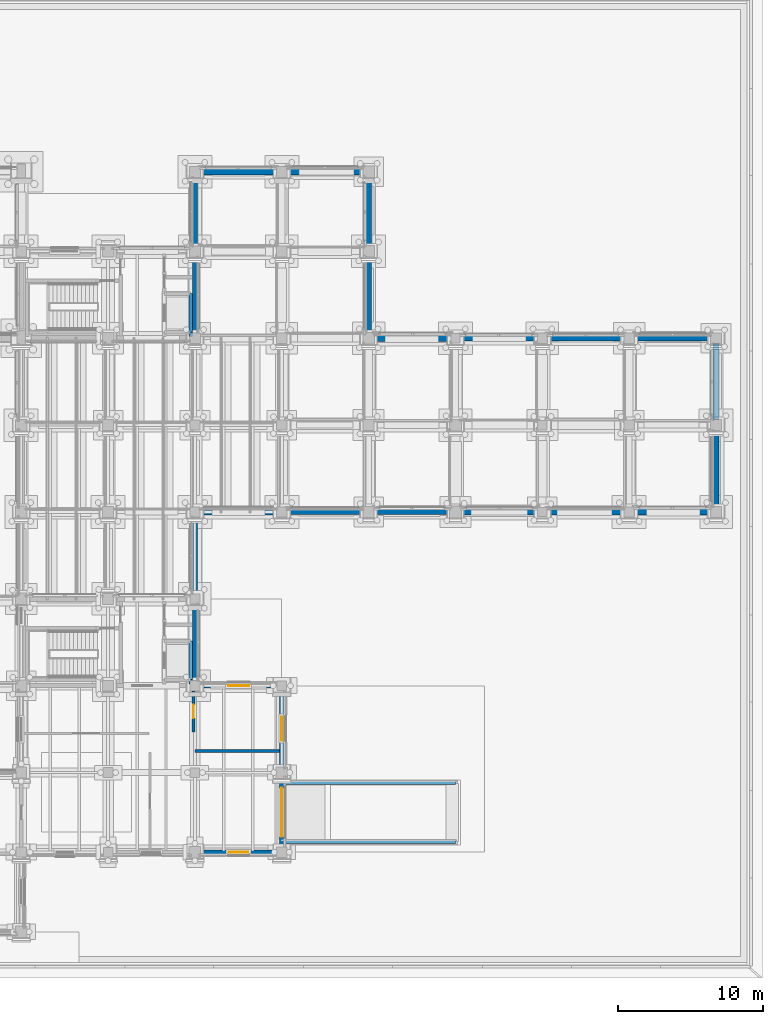
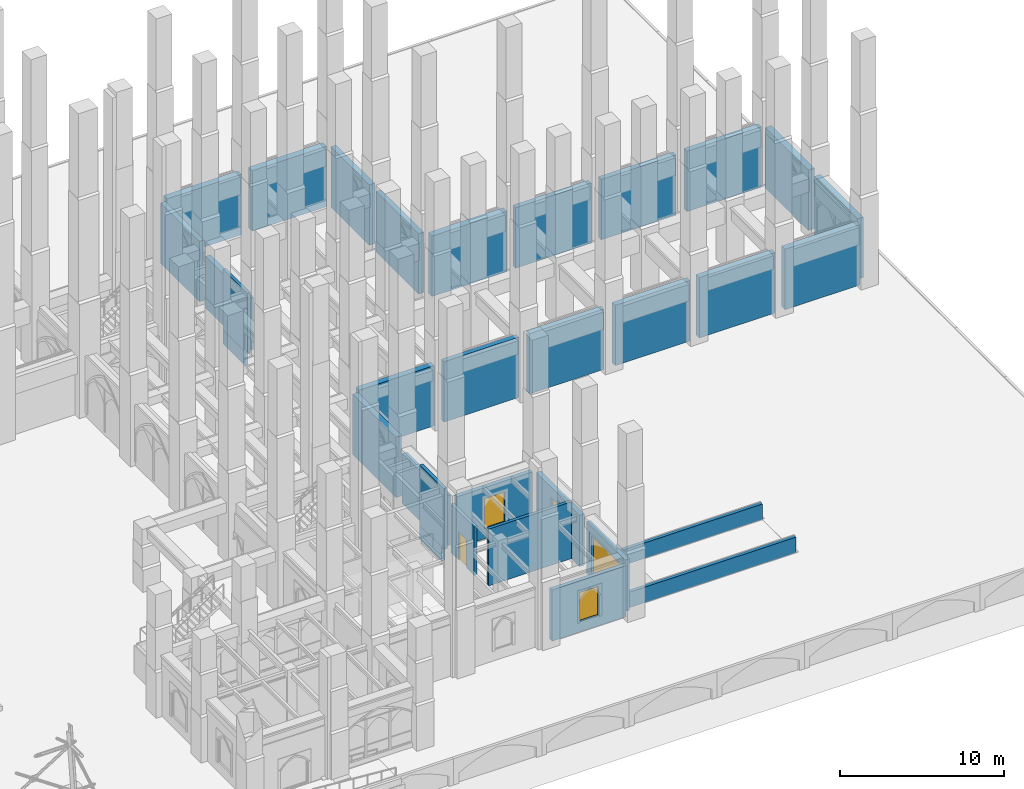
# One storey, part 68 of 135: 32 walls, 3 windows, 2 doors, 5 openings.
"""IFC4 building model written with IfcOpenShell, lengths in metres."""

from ifc_helpers import new_model, si_unit, direction, frame, frame_2d, origin, place, context, subcontext, project, spatial, rectangle, extrude, material, layer, layer_set, type_object, element, fill, save


model = new_model("IFC4")

# Units and contexts
model_context = context("Model", 3, precision=1e-05, world=origin(), true_north=direction((0.0, 1.0)))
body_context = subcontext(model_context, "Body", "Model", "MODEL_VIEW")
ifc_project = project(units=[si_unit("LENGTHUNIT", "METRE"), si_unit("AREAUNIT", "SQUARE_METRE"), si_unit("VOLUMEUNIT", "CUBIC_METRE"), si_unit("PLANEANGLEUNIT", "RADIAN"), si_unit("MASSUNIT", "GRAM", prefix="KILO")], contexts=[model_context])

# Site, building, storey
site_placement = place(None, origin())
site = spatial("IfcSite", under=ifc_project, at=site_placement, CompositionType="ELEMENT")
building_placement = place(site_placement, origin())
building = spatial("IfcBuilding", under=site, at=building_placement, Name="Cumevento Cable Car Station", CompositionType="ELEMENT")
storey_placement = place(building_placement, origin())
storey = spatial("IfcBuildingStorey", under=building, at=storey_placement, Name="L01", CompositionType="ELEMENT", Elevation=0.0)

# Wall, opening, window
ifc_material_1 = material(Name="Gnaisse Facoidal Stone Ashlar 85 MPa", Category="masonry")
ifc_layer_1 = layer(ifc_material_1, 0.280029296875)
ifc_layer_set_1 = layer_set([ifc_layer_1], Name="Gnaisse Facoidal Stone Ashlar 85 MPa")
wall_type_1 = type_object("IfcWallType", Name="Exterior Envelope Wall EW-280 280", PredefinedType="SOLIDWALL", material=ifc_layer_set_1)
wall_1_placement = place(storey_placement, frame((135.625, 9.5, 0.0), z_axis=(0.0, 0.0, 1.0), x_axis=(-1.0, 0.0, 0.0)))
wall_1 = element("IfcWall", 1, at=wall_1_placement, inside=storey, type_object=wall_type_1, Name="Exterior Wall EW-280 L01 #66", PredefinedType="SOLIDWALL", context=body_context, shape_type="SweptSolid", body=[
    extrude(rectangle(XDim=5.22509765625, YDim=0.280029296875, at=frame_2d((2.612548828125, 0.0))), origin(), (0.0, 0.0, 1.0), 3.821044921875),
])
opening_1_placement = place(wall_1_placement, frame((1.9375, 0.0, 0.800048828125)))
opening_1 = element("IfcOpeningElement", 2, at=opening_1_placement, cuts=wall_1, Name="Opening WN-L01-030", PredefinedType="OPENING", context=body_context, shape_type="SweptSolid", body=[
    extrude(rectangle(XDim=1.35009765625, YDim=2.14990234375, at=frame_2d((0.675048828125, 1.074951171875))), frame((0.0, 0.150146484375, 0.0), z_axis=(0.0, -1.0, 0.0), x_axis=(1.0, 0.0, 0.0)), (0.0, 0.0, 1.0), 0.300048828125),
])
ifc_material_2 = material(Name="Anodised Bronze Aluminium & Laminated Solar Glass", Category="aluminium")
window_type_1 = type_object("IfcWindowType", Name="Lancet Window WN-06 1350x2150", PartitioningType="SINGLE_PANEL", PredefinedType="WINDOW", material=ifc_material_2)
window_1_placement = place(opening_1_placement, origin())
window_1 = element("IfcWindow", 3, at=window_1_placement, inside=storey, type_object=window_type_1, Name="Lancet Window WN-L01-030 (WN-06)", OverallHeight=2.14990234375, OverallWidth=1.35009765625, PartitioningType="SINGLE_PANEL", PredefinedType="WINDOW", context=body_context, shape_type="SweptSolid", body=[
    extrude(rectangle(XDim=1.35009765625, YDim=2.14990234375, at=frame_2d((0.675048828125, 1.074951171875))), frame((0.0, 0.030029296875, 0.0), z_axis=(0.0, -1.0, 0.0), x_axis=(1.0, 0.0, 0.0)), (0.0, 0.0, 1.0), 0.06005859375),
])
fill(opening_1, window_1)

ifc_material_3 = material(Name="Gnaisse Facoidal Stone Ashlar 85 MPa", Category="masonry")
ifc_layer_2 = layer(ifc_material_3, 0.294921875)
ifc_layer_set_2 = layer_set([ifc_layer_2], Name="Gnaisse Facoidal Stone Ashlar 85 MPa")
wall_type_2 = type_object("IfcWallType", Name="Exterior Envelope Wall EW-295 295", PredefinedType="SOLIDWALL", material=ifc_layer_set_2)
wall_2_placement = place(storey_placement, frame((130.35009765625, 21.0, 0.0), z_axis=(0.0, 0.0, 1.0), x_axis=(1.0, 0.0, 0.0)))
wall_2 = element("IfcWall", 4, at=wall_2_placement, inside=storey, type_object=wall_type_2, Name="Exterior Wall EW-295 L01 #67", PredefinedType="SOLIDWALL", context=body_context, shape_type="SweptSolid", body=[
    extrude(rectangle(XDim=5.324951171875, YDim=0.294921875, at=frame_2d((2.66259765625, 0.0))), origin(), (0.0, 0.0, 1.0), 3.80908203125),
])
opening_2_placement = place(wall_2_placement, frame((1.9375, 0.0, 0.75)))
opening_2 = element("IfcOpeningElement", 5, at=opening_2_placement, cuts=wall_2, Name="Opening WN-L01-031", PredefinedType="OPENING", context=body_context, shape_type="SweptSolid", body=[
    extrude(rectangle(XDim=1.449951171875, YDim=2.25, at=frame_2d((0.72509765625, 1.125))), frame((0.0, 0.157470703125, 0.0), z_axis=(0.0, -1.0, 0.0), x_axis=(1.0, 0.0, 0.0)), (0.0, 0.0, 1.0), 0.31494140625),
])
ifc_material_4 = material(Name="Anodised Bronze Aluminium & Laminated Solar Glass", Category="aluminium")
window_type_2 = type_object("IfcWindowType", Name="Lancet Window WN-07 1450x2250", PartitioningType="SINGLE_PANEL", PredefinedType="WINDOW", material=ifc_material_4)
window_2_placement = place(opening_2_placement, origin())
window_2 = element("IfcWindow", 6, at=window_2_placement, inside=storey, type_object=window_type_2, Name="Lancet Window WN-L01-031 (WN-07)", OverallHeight=2.25, OverallWidth=1.449951171875, PartitioningType="SINGLE_PANEL", PredefinedType="WINDOW", context=body_context, shape_type="SweptSolid", body=[
    extrude(rectangle(XDim=1.449951171875, YDim=2.25, at=frame_2d((0.72509765625, 1.125))), frame((0.0, 0.030029296875, 0.0), z_axis=(0.0, -1.0, 0.0), x_axis=(1.0, 0.0, 0.0)), (0.0, 0.0, 1.0), 0.06005859375),
])
fill(opening_2, window_2)

# Wall, opening, door
ifc_material_5 = material(Name="Gnaisse Facoidal Stone Ashlar 85 MPa", Category="masonry")
ifc_layer_3 = layer(ifc_material_5, 0.31005859375)
ifc_layer_set_3 = layer_set([ifc_layer_3], Name="Gnaisse Facoidal Stone Ashlar 85 MPa")
wall_type_3 = type_object("IfcWallType", Name="Exterior Envelope Wall EW-310 310", PredefinedType="SOLIDWALL", material=ifc_layer_set_3)
wall_3_placement = place(storey_placement, frame((136.0, 14.60009765625, 0.0), z_axis=(0.0, 0.0, 1.0), x_axis=(0.0, -1.0, 0.0)))
wall_3 = element("IfcWall", 7, at=wall_3_placement, inside=storey, type_object=wall_type_3, Name="Exterior Wall EW-310 L01 #68", PredefinedType="SOLIDWALL", context=body_context, shape_type="SweptSolid", body=[
    extrude(rectangle(XDim=4.72509765625, YDim=0.31005859375, at=frame_2d((2.362548828125, 0.0))), origin(), (0.0, 0.0, 1.0), 3.821044921875),
])
opening_3_placement = place(wall_3_placement, frame((0.64990234375, 0.0, 0.0)))
opening_3 = element("IfcOpeningElement", 8, at=opening_3_placement, cuts=wall_3, Name="Opening GT-L01-01", PredefinedType="OPENING", context=body_context, shape_type="SweptSolid", body=[
    extrude(rectangle(XDim=3.39990234375, YDim=3.14990234375, at=frame_2d((1.699951171875, 1.574951171875))), frame((0.0, 0.1650390625, 0.0), z_axis=(0.0, -1.0, 0.0), x_axis=(1.0, 0.0, 0.0)), (0.0, 0.0, 1.0), 0.330078125),
])
ifc_material_6 = material(Name="Galvanised Steel Roller Shutter Slat", Category="steel")
door_type_1 = type_object("IfcDoorType", Name="Shutter Gate GT-01 3400x3150", OperationType="NOTDEFINED", PredefinedType="GATE", material=ifc_material_6)
door_1_placement = place(opening_3_placement, origin())
door_1 = element("IfcDoor", 9, at=door_1_placement, inside=storey, type_object=door_type_1, Name="Vehicle Ramp Roller Shutter Gate GT-L01-01", OperationType="ROLLINGUP", OverallHeight=3.14990234375, OverallWidth=3.39990234375, PredefinedType="GATE", context=body_context, shape_type="SweptSolid", body=[
    extrude(rectangle(XDim=3.39990234375, YDim=3.14990234375, at=frame_2d((1.699951171875, 1.574951171875))), frame((0.0, 0.02490234375, 0.0), z_axis=(0.0, -1.0, 0.0), x_axis=(1.0, 0.0, 0.0)), (0.0, 0.0, 1.0), 0.050048828125),
])
fill(opening_3, door_1)

# Wall, opening, window
ifc_material_7 = material(Name="Concrete C40/50", Category="concrete")
ifc_layer_4 = layer(ifc_material_7, 0.340087890625)
ifc_layer_set_4 = layer_set([ifc_layer_4], Name="Concrete C40/50")
wall_type_4 = type_object("IfcWallType", Name="Exterior Envelope Wall EW-340 340", PredefinedType="SOLIDWALL", material=ifc_layer_set_4)
wall_4_placement = place(storey_placement, frame((136.0, 20.675048828125, 0.0), z_axis=(0.0, 0.0, 1.0), x_axis=(0.0, -1.0, 0.0)))
wall_4 = element("IfcWall", 10, at=wall_4_placement, inside=storey, type_object=wall_type_4, Name="Exterior Wall EW-340 L01 #70", PredefinedType="SOLIDWALL", context=body_context, shape_type="SweptSolid", body=[
    extrude(rectangle(XDim=5.275146484375, YDim=0.340087890625, at=frame_2d((2.6376953125, 0.0))), origin(), (0.0, 0.0, 1.0), 3.821044921875),
])
opening_4_placement = place(wall_4_placement, frame((1.8125, 0.0, 0.75)))
opening_4 = element("IfcOpeningElement", 11, at=opening_4_placement, cuts=wall_4, Name="Opening WN-L01-033", PredefinedType="OPENING", context=body_context, shape_type="SweptSolid", body=[
    extrude(rectangle(XDim=1.64990234375, YDim=2.300048828125, at=frame_2d((0.824951171875, 1.14990234375))), frame((0.0, 0.179931640625, 0.0), z_axis=(0.0, -1.0, 0.0), x_axis=(1.0, 0.0, 0.0)), (0.0, 0.0, 1.0), 0.360107421875),
])
ifc_material_8 = material(Name="Anodised Bronze Aluminium & Laminated Solar Glass", Category="aluminium")
window_type_3 = type_object("IfcWindowType", Name="Lancet Window WN-09 1650x2300", PartitioningType="DOUBLE_PANEL_VERTICAL", PredefinedType="WINDOW", material=ifc_material_8)
window_3_placement = place(opening_4_placement, origin())
window_3 = element("IfcWindow", 12, at=window_3_placement, inside=storey, type_object=window_type_3, Name="Lancet Window WN-L01-033 (WN-09)", OverallHeight=2.300048828125, OverallWidth=1.64990234375, PartitioningType="SINGLE_PANEL", PredefinedType="WINDOW", context=body_context, shape_type="SweptSolid", body=[
    extrude(rectangle(XDim=1.64990234375, YDim=2.300048828125, at=frame_2d((0.824951171875, 1.14990234375))), frame((0.0, 0.030029296875, 0.0), z_axis=(0.0, -1.0, 0.0), x_axis=(1.0, 0.0, 0.0)), (0.0, 0.0, 1.0), 0.06005859375),
])
fill(opening_4, window_3)

# Walls
ifc_material_9 = material(Name="Concrete C40/50", Category="concrete")
ifc_layer_5 = layer(ifc_material_9, 0.35498046875)
ifc_layer_set_5 = layer_set([ifc_layer_5], Name="Concrete C40/50")
wall_type_5 = type_object("IfcWallType", Name="Exterior Envelope Wall EW-355 355", PredefinedType="SOLIDWALL", material=ifc_layer_set_5)
wall_5_placement = place(storey_placement, frame((130.0, 26.64990234375, 0.0), z_axis=(0.0, 0.0, 1.0), x_axis=(0.0, -1.0, 0.0)))
element("IfcWall", 13, at=wall_5_placement, inside=storey, type_object=wall_type_5, Name="Exterior Wall EW-355 L01 #74", PredefinedType="SOLIDWALL", context=body_context, shape_type="SweptSolid", body=[
    extrude(rectangle(XDim=5.2998046875, YDim=0.35498046875, at=frame_2d((2.64990234375, 0.0))), origin(), (0.0, 0.0, 1.0), 3.702880859375),
])
wall_6_placement = place(storey_placement, frame((130.0, 50.625, 0.0), z_axis=(0.0, 0.0, 1.0), x_axis=(0.0, -1.0, 0.0)))
element("IfcWall", 14, at=wall_6_placement, inside=storey, type_object=wall_type_5, Name="Exterior Wall EW-355 L01 #80", PredefinedType="SOLIDWALL", context=body_context, shape_type="SweptSolid", body=[
    extrude(rectangle(XDim=5.25, YDim=0.35498046875, at=frame_2d((2.625, 0.0))), origin(), (0.0, 0.0, 1.0), 3.85595703125),
])

# Wall, opening, door
ifc_material_10 = material(Name="Concrete C40/50", Category="concrete")
ifc_layer_6 = layer(ifc_material_10, 0.219970703125)
ifc_layer_set_6 = layer_set([ifc_layer_6], Name="Concrete C40/50")
wall_type_6 = type_object("IfcWallType", Name="Interior Partition FW-220 220", PredefinedType="SOLIDWALL", material=ifc_layer_set_6)
wall_7_placement = place(storey_placement, frame((129.89990234375, 17.800048828125, 0.0), z_axis=(0.0, 0.0, 1.0), x_axis=(0.0, 1.0, 0.0)))
wall_7 = element("IfcWall", 15, at=wall_7_placement, inside=storey, type_object=wall_type_6, Name="Interior Wall FW-220 L01 #586", PredefinedType="SOLIDWALL", context=body_context, shape_type="SweptSolid", body=[
    extrude(rectangle(XDim=2.847900390625, YDim=0.219970703125, at=frame_2d((1.423828125, 0.0))), origin(), (0.0, 0.0, 1.0), 3.60791015625),
])
opening_5_placement = place(wall_7_placement, frame((0.9541015625, 0.0, 0.0)))
opening_5 = element("IfcOpeningElement", 16, at=opening_5_placement, cuts=wall_7, Name="Opening DR-L01-200", PredefinedType="OPENING", context=body_context, shape_type="SweptSolid", body=[
    extrude(rectangle(XDim=0.93994140625, YDim=2.10009765625, at=frame_2d((0.469970703125, 1.050048828125))), frame((0.0, 0.119873046875, 0.0), z_axis=(0.0, -1.0, 0.0), x_axis=(1.0, 0.0, 0.0)), (0.0, 0.0, 1.0), 0.239990234375),
])
ifc_material_11 = material(Name="Galvanised Painted Steel Fire Door", Category="steel")
door_type_2 = type_object("IfcDoorType", Name="Interior Door FD-08 940x2100", OperationType="NOTDEFINED", PredefinedType="DOOR", material=ifc_material_11)
door_2_placement = place(opening_5_placement, origin())
door_2 = element("IfcDoor", 17, at=door_2_placement, inside=storey, type_object=door_type_2, Name="Interior Door DR-L01-200 (FD-08)", OperationType="SINGLE_SWING_LEFT", OverallHeight=2.10009765625, OverallWidth=0.93994140625, PredefinedType="DOOR", context=body_context, shape_type="SweptSolid", body=[
    extrude(rectangle(XDim=0.93994140625, YDim=2.10009765625, at=frame_2d((0.469970703125, 1.050048828125))), frame((0.0, 0.02490234375, 0.0), z_axis=(0.0, -1.0, 0.0), x_axis=(1.0, 0.0, 0.0)), (0.0, 0.0, 1.0), 0.050048828125),
])
fill(opening_5, door_2)

# Walls
wall_8_placement = place(storey_placement, frame((130.0, 16.5, 0.0), z_axis=(0.0, 0.0, 1.0), x_axis=(1.0, 0.0, 0.0)))
element("IfcWall", 18, at=wall_8_placement, inside=storey, type_object=wall_type_6, Name="Interior Wall FW-220 L01 #588", PredefinedType="SOLIDWALL", context=body_context, shape_type="SweptSolid", body=[
    extrude(rectangle(XDim=5.827880859375, YDim=0.219970703125, at=frame_2d((2.9140625, 0.0))), origin(), (0.0, 0.0, 1.0), 4.22802734375),
])
ifc_material_12 = material(Name="Concrete C40/50", Category="concrete")
ifc_layer_7 = layer(ifc_material_12, 0.22998046875)
ifc_layer_set_7 = layer_set([ifc_layer_7], Name="Concrete C40/50")
wall_type_7 = type_object("IfcWallType", Name="Interior Shear Wall CW-230 230", PredefinedType="SHEAR", material=ifc_layer_set_7)
wall_9_placement = place(storey_placement, frame((129.699951171875, 21.419921875, -1.050048828125), z_axis=(0.0, 0.0, 1.0), x_axis=(0.0, 1.0, 0.0)))
element("IfcWall", 19, at=wall_9_placement, inside=storey, type_object=wall_type_7, Name="Interior Wall CW-230 L01 #399", PredefinedType="SHEAR", context=body_context, shape_type="SweptSolid", body=[
    extrude(rectangle(XDim=2.66015625, YDim=0.22998046875, at=frame_2d((1.330078125, 0.0))), origin(), (0.0, 0.0, 1.0), 1.050048828125),
])
wall_10_placement = place(storey_placement, frame((129.699951171875, 21.114990234375, 0.0), z_axis=(0.0, 0.0, 1.0), x_axis=(0.0, 1.0, 0.0)))
element("IfcWall", 20, at=wall_10_placement, inside=storey, type_object=wall_type_7, Name="Interior Wall CW-230 L01 #415", PredefinedType="SHEAR", context=body_context, shape_type="SweptSolid", body=[
    extrude(rectangle(XDim=2.965087890625, YDim=0.22998046875, at=frame_2d((1.482421875, 0.0))), origin(), (0.0, 0.0, 1.0), 4.5),
])
wall_11_placement = place(storey_placement, frame((129.699951171875, 45.419921875, -1.050048828125), z_axis=(0.0, 0.0, 1.0), x_axis=(0.0, 1.0, 0.0)))
element("IfcWall", 21, at=wall_11_placement, inside=storey, type_object=wall_type_7, Name="Interior Wall CW-230 L01 #463", PredefinedType="SHEAR", context=body_context, shape_type="SweptSolid", body=[
    extrude(rectangle(XDim=2.66015625, YDim=0.22998046875, at=frame_2d((1.330078125, 0.0))), origin(), (0.0, 0.0, 1.0), 1.050048828125),
])
wall_12_placement = place(storey_placement, frame((129.699951171875, 45.114990234375, 0.0), z_axis=(0.0, 0.0, 1.0), x_axis=(0.0, 1.0, 0.0)))
element("IfcWall", 22, at=wall_12_placement, inside=storey, type_object=wall_type_7, Name="Interior Wall CW-230 L01 #477", PredefinedType="SHEAR", context=body_context, shape_type="SweptSolid", body=[
    extrude(rectangle(XDim=2.965087890625, YDim=0.22998046875, at=frame_2d((1.482421875, 0.0))), origin(), (0.0, 0.0, 1.0), 4.5),
])
for number, where, z_axis, x_axis, name in (
    (23, (136.0, 10.2099609375, 0.0), (0.0, 0.0, 1.0), (1.0, 0.0, 0.0), "Interior Wall CW-230 L01 #749"),
    (24, (136.0, 14.2900390625, 0.0), (0.0, 0.0, 1.0), (1.0, 0.0, 0.0), "Interior Wall CW-230 L01 #750"),
):
    element("IfcWall", number, at=place(storey_placement, frame(where, z_axis=z_axis, x_axis=x_axis)), inside=storey, type_object=wall_type_7, Name=name, PredefinedType="SHEAR", context=body_context, shape_type="SweptSolid", body=[
        extrude(rectangle(XDim=12.0, YDim=0.22998046875, at=frame_2d((6.0, 0.0))), origin(), (0.0, 0.0, 1.0), 1.14990234375),
    ])
ifc_material_13 = material(Name="Concrete C40/50", Category="concrete")
ifc_layer_8 = layer(ifc_material_13, 0.340087890625)
ifc_layer_set_8 = layer_set([ifc_layer_8], Name="Concrete C40/50")
wall_type_8 = type_object("IfcWallType", Name="Retaining Wall RW-340 340", PredefinedType="USERDEFINED", material=ifc_layer_set_8)
wall_13_placement = place(storey_placement, frame((136.35009765625, 33.0, 0.0), z_axis=(0.0, 0.0, 1.0), x_axis=(1.0, 0.0, 0.0)))
element("IfcWall", 25, at=wall_13_placement, inside=storey, type_object=wall_type_8, Name="Retaining Wall RW-340 L01 #78", ObjectType="RETAININGWALL", PredefinedType="USERDEFINED", context=body_context, shape_type="SweptSolid", body=[
    extrude(rectangle(XDim=5.27490234375, YDim=0.340087890625, at=frame_2d((2.637451171875, 0.0))), origin(), (0.0, 0.0, 1.0), 4.5),
])
wall_14_placement = place(storey_placement, frame((148.324951171875, 45.0, 0.0), z_axis=(0.0, 0.0, 1.0), x_axis=(1.0, 0.0, 0.0)))
element("IfcWall", 26, at=wall_14_placement, inside=storey, type_object=wall_type_8, Name="Retaining Wall RW-340 L01 #84", ObjectType="RETAININGWALL", PredefinedType="USERDEFINED", context=body_context, shape_type="SweptSolid", body=[
    extrude(rectangle(XDim=5.324951171875, YDim=0.340087890625, at=frame_2d((2.66259765625, 0.0))), origin(), (0.0, 0.0, 1.0), 4.5),
])
wall_15_placement = place(storey_placement, frame((130.0, 51.375, 0.0), z_axis=(0.0, 0.0, 1.0), x_axis=(0.0, 1.0, 0.0)))
element("IfcWall", 27, at=wall_15_placement, inside=storey, type_object=wall_type_8, Name="Retaining Wall RW-340 L01 #102", ObjectType="RETAININGWALL", PredefinedType="USERDEFINED", context=body_context, shape_type="SweptSolid", body=[
    extrude(rectangle(XDim=4.75, YDim=0.340087890625, at=frame_2d((2.375, 0.0))), origin(), (0.0, 0.0, 1.0), 4.5),
])
ifc_material_14 = material(Name="Concrete C40/50", Category="concrete")
ifc_layer_9 = layer(ifc_material_14, 0.360107421875)
ifc_layer_set_9 = layer_set([ifc_layer_9], Name="Concrete C40/50")
wall_type_9 = type_object("IfcWallType", Name="Retaining Wall RW-360 360", PredefinedType="USERDEFINED", material=ifc_layer_set_9)
wall_16_placement = place(storey_placement, frame((142.375, 33.0, 0.0), z_axis=(0.0, 0.0, 1.0), x_axis=(1.0, 0.0, 0.0)))
element("IfcWall", 28, at=wall_16_placement, inside=storey, type_object=wall_type_9, Name="Retaining Wall RW-360 L01 #79", ObjectType="RETAININGWALL", PredefinedType="USERDEFINED", context=body_context, shape_type="SweptSolid", body=[
    extrude(rectangle(XDim=5.22509765625, YDim=0.360107421875, at=frame_2d((2.612548828125, 0.0))), origin(), (0.0, 0.0, 1.0), 4.5),
])
wall_17_placement = place(storey_placement, frame((154.35009765625, 45.0, 0.0), z_axis=(0.0, 0.0, 1.0), x_axis=(1.0, 0.0, 0.0)))
element("IfcWall", 29, at=wall_17_placement, inside=storey, type_object=wall_type_9, Name="Retaining Wall RW-360 L01 #85", ObjectType="RETAININGWALL", PredefinedType="USERDEFINED", context=body_context, shape_type="SweptSolid", body=[
    extrude(rectangle(XDim=5.27490234375, YDim=0.360107421875, at=frame_2d((2.637451171875, 0.0))), origin(), (0.0, 0.0, 1.0), 4.5),
])
wall_18_placement = place(storey_placement, frame((142.0, 45.39990234375, 0.0), z_axis=(0.0, 0.0, 1.0), x_axis=(0.0, 1.0, 0.0)))
element("IfcWall", 30, at=wall_18_placement, inside=storey, type_object=wall_type_9, Name="Retaining Wall RW-360 L01 #103", ObjectType="RETAININGWALL", PredefinedType="USERDEFINED", context=body_context, shape_type="SweptSolid", body=[
    extrude(rectangle(XDim=5.2001953125, YDim=0.360107421875, at=frame_2d((2.60009765625, 0.0))), origin(), (0.0, 0.0, 1.0), 4.5),
])
ifc_material_15 = material(Name="Concrete C40/50", Category="concrete")
ifc_layer_10 = layer(ifc_material_15, 0.385009765625)
ifc_layer_set_10 = layer_set([ifc_layer_10], Name="Concrete C40/50")
wall_type_10 = type_object("IfcWallType", Name="Retaining Wall RW-385 385", PredefinedType="USERDEFINED", material=ifc_layer_set_10)
wall_19_placement = place(storey_placement, frame((130.0, 27.35009765625, 0.0), z_axis=(0.0, 0.0, 1.0), x_axis=(0.0, 1.0, 0.0)))
element("IfcWall", 31, at=wall_19_placement, inside=storey, type_object=wall_type_10, Name="Retaining Wall RW-385 L01 #74", ObjectType="RETAININGWALL", PredefinedType="USERDEFINED", context=body_context, shape_type="SweptSolid", body=[
    extrude(rectangle(XDim=5.2998046875, YDim=0.385009765625, at=frame_2d((2.64990234375, 0.0))), origin(), (0.0, 0.0, 1.0), 4.5),
])
wall_20_placement = place(storey_placement, frame((148.39990234375, 33.0, 0.0), z_axis=(0.0, 0.0, 1.0), x_axis=(1.0, 0.0, 0.0)))
element("IfcWall", 32, at=wall_20_placement, inside=storey, type_object=wall_type_10, Name="Retaining Wall RW-385 L01 #80", ObjectType="RETAININGWALL", PredefinedType="USERDEFINED", context=body_context, shape_type="SweptSolid", body=[
    extrude(rectangle(XDim=5.275146484375, YDim=0.385009765625, at=frame_2d((2.6376953125, 0.0))), origin(), (0.0, 0.0, 1.0), 4.5),
])
wall_21_placement = place(storey_placement, frame((160.375, 45.0, 0.0), z_axis=(0.0, 0.0, 1.0), x_axis=(1.0, 0.0, 0.0)))
element("IfcWall", 33, at=wall_21_placement, inside=storey, type_object=wall_type_10, Name="Retaining Wall RW-385 L01 #86", ObjectType="RETAININGWALL", PredefinedType="USERDEFINED", context=body_context, shape_type="SweptSolid", body=[
    extrude(rectangle(XDim=5.25, YDim=0.385009765625, at=frame_2d((2.625, 0.0))), origin(), (0.0, 0.0, 1.0), 4.5),
])
wall_22_placement = place(storey_placement, frame((142.0, 51.39990234375, 0.0), z_axis=(0.0, 0.0, 1.0), x_axis=(0.0, 1.0, 0.0)))
element("IfcWall", 34, at=wall_22_placement, inside=storey, type_object=wall_type_10, Name="Retaining Wall RW-385 L01 #104", ObjectType="RETAININGWALL", PredefinedType="USERDEFINED", context=body_context, shape_type="SweptSolid", body=[
    extrude(rectangle(XDim=4.7001953125, YDim=0.385009765625, at=frame_2d((2.35009765625, 0.0))), origin(), (0.0, 0.0, 1.0), 4.5),
])
ifc_material_16 = material(Name="Concrete C40/50", Category="concrete")
ifc_layer_11 = layer(ifc_material_16, 0.409912109375)
ifc_layer_set_11 = layer_set([ifc_layer_11], Name="Concrete C40/50")
wall_type_11 = type_object("IfcWallType", Name="Retaining Wall RW-410 410", PredefinedType="USERDEFINED", material=ifc_layer_set_11)
wall_23_placement = place(storey_placement, frame((130.35009765625, 33.0, 0.0), z_axis=(0.0, 0.0, 1.0), x_axis=(1.0, 0.0, 0.0)))
element("IfcWall", 35, at=wall_23_placement, inside=storey, type_object=wall_type_11, Name="Retaining Wall RW-410 L01 #75", ObjectType="RETAININGWALL", PredefinedType="USERDEFINED", context=body_context, shape_type="SweptSolid", body=[
    extrude(rectangle(XDim=5.2998046875, YDim=0.409912109375, at=frame_2d((2.64990234375, 0.0))), origin(), (0.0, 0.0, 1.0), 4.5),
])
wall_24_placement = place(storey_placement, frame((154.324951171875, 33.0, 0.0), z_axis=(0.0, 0.0, 1.0), x_axis=(1.0, 0.0, 0.0)))
element("IfcWall", 36, at=wall_24_placement, inside=storey, type_object=wall_type_11, Name="Retaining Wall RW-410 L01 #81", ObjectType="RETAININGWALL", PredefinedType="USERDEFINED", context=body_context, shape_type="SweptSolid", body=[
    extrude(rectangle(XDim=5.324951171875, YDim=0.409912109375, at=frame_2d((2.66259765625, 0.0))), origin(), (0.0, 0.0, 1.0), 4.5),
])
wall_25_placement = place(storey_placement, frame((166.0, 33.375, 0.0), z_axis=(0.0, 0.0, 1.0), x_axis=(0.0, 1.0, 0.0)))
element("IfcWall", 37, at=wall_25_placement, inside=storey, type_object=wall_type_11, Name="Retaining Wall RW-410 L01 #87", ObjectType="RETAININGWALL", PredefinedType="USERDEFINED", context=body_context, shape_type="SweptSolid", body=[
    extrude(rectangle(XDim=5.25, YDim=0.409912109375, at=frame_2d((2.625, 0.0))), origin(), (0.0, 0.0, 1.0), 4.5),
])
ifc_material_17 = material(Name="Concrete C40/50", Category="concrete")
ifc_layer_12 = layer(ifc_material_17, 0.43505859375)
ifc_layer_set_12 = layer_set([ifc_layer_12], Name="Concrete C40/50")
wall_type_12 = type_object("IfcWallType", Name="Retaining Wall RW-435 435", PredefinedType="USERDEFINED", material=ifc_layer_set_12)
wall_26_placement = place(storey_placement, frame((160.35009765625, 33.0, 0.0), z_axis=(0.0, 0.0, 1.0), x_axis=(1.0, 0.0, 0.0)))
element("IfcWall", 38, at=wall_26_placement, inside=storey, type_object=wall_type_12, Name="Retaining Wall RW-435 L01 #82", ObjectType="RETAININGWALL", PredefinedType="USERDEFINED", context=body_context, shape_type="SweptSolid", body=[
    extrude(rectangle(XDim=5.27490234375, YDim=0.43505859375, at=frame_2d((2.637451171875, 0.0))), origin(), (0.0, 0.0, 1.0), 4.5),
])
for number, where, z_axis, x_axis, name in (
    (39, (166.0, 39.375, 0.0), (0.0, 0.0, 1.0), (0.0, 1.0, 0.0), "Retaining Wall RW-435 L01 #88"),
    (40, (130.375, 56.5, 0.0), (0.0, 0.0, 1.0), (1.0, 0.0, 0.0), "Retaining Wall RW-435 L01 #100"),
):
    element("IfcWall", number, at=place(storey_placement, frame(where, z_axis=z_axis, x_axis=x_axis)), inside=storey, type_object=wall_type_12, Name=name, ObjectType="RETAININGWALL", PredefinedType="USERDEFINED", context=body_context, shape_type="SweptSolid", body=[
        extrude(rectangle(XDim=5.25, YDim=0.43505859375, at=frame_2d((2.625, 0.0))), origin(), (0.0, 0.0, 1.0), 4.5),
    ])
ifc_material_18 = material(Name="Concrete C40/50", Category="concrete")
ifc_layer_13 = layer(ifc_material_18, 0.4599609375)
ifc_layer_set_13 = layer_set([ifc_layer_13], Name="Concrete C40/50")
wall_type_13 = type_object("IfcWallType", Name="Retaining Wall RW-460 460", PredefinedType="USERDEFINED", material=ifc_layer_set_13)
wall_27_placement = place(storey_placement, frame((142.39990234375, 45.0, 0.0), z_axis=(0.0, 0.0, 1.0), x_axis=(1.0, 0.0, 0.0)))
element("IfcWall", 41, at=wall_27_placement, inside=storey, type_object=wall_type_13, Name="Retaining Wall RW-460 L01 #83", ObjectType="RETAININGWALL", PredefinedType="USERDEFINED", context=body_context, shape_type="SweptSolid", body=[
    extrude(rectangle(XDim=5.275146484375, YDim=0.4599609375, at=frame_2d((2.6376953125, 0.0))), origin(), (0.0, 0.0, 1.0), 4.5),
])
wall_28_placement = place(storey_placement, frame((136.375, 56.5, 0.0), z_axis=(0.0, 0.0, 1.0), x_axis=(1.0, 0.0, 0.0)))
element("IfcWall", 42, at=wall_28_placement, inside=storey, type_object=wall_type_13, Name="Retaining Wall RW-460 L01 #101", ObjectType="RETAININGWALL", PredefinedType="USERDEFINED", context=body_context, shape_type="SweptSolid", body=[
    extrude(rectangle(XDim=5.22509765625, YDim=0.4599609375, at=frame_2d((2.612548828125, 0.0))), origin(), (0.0, 0.0, 1.0), 4.5),
])

save(model, "model.ifc")
